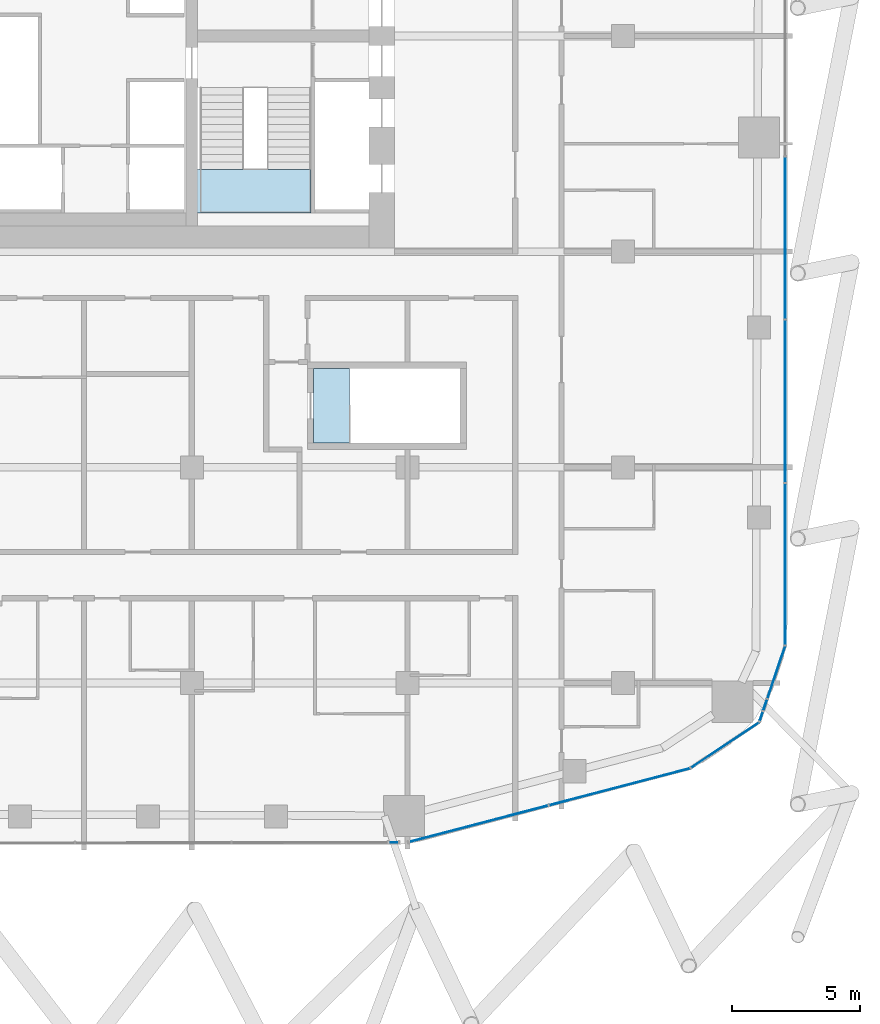
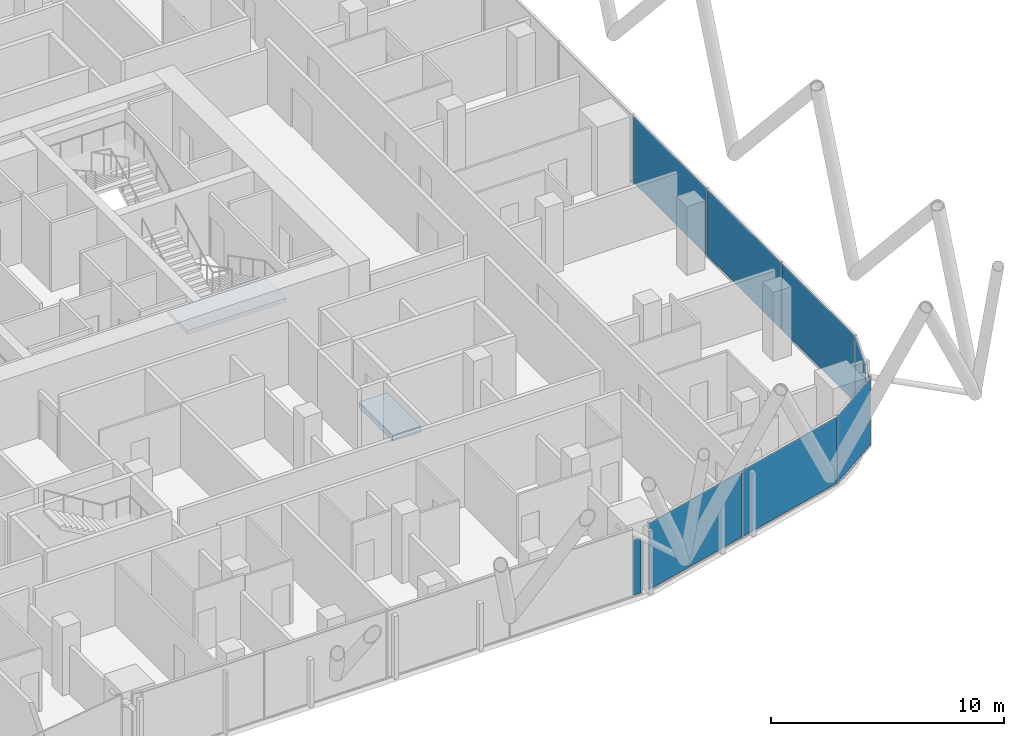
# One storey, part 22 of 34: 10 plates, 2 slabs, 8 elements without a shape of their own.
"""IFC4 building model written with IfcOpenShell, lengths in metres."""

from ifc_helpers import new_model, si_unit, direction, frame, origin, origin_2d, place, context, subcontext, project, spatial, polyline, rectangle, outline, extrude, material, layer, layer_set, type_object, element, aggregate, save


model = new_model("IFC4")

# Units and contexts
model_context = context("Model", 3, precision=1e-05, world=origin(), true_north=direction((0.0, 1.0)))
body_context = subcontext(model_context, "Body", "Model", "MODEL_VIEW")
ifc_project = project(units=[si_unit("LENGTHUNIT", "METRE"), si_unit("AREAUNIT", "SQUARE_METRE"), si_unit("VOLUMEUNIT", "CUBIC_METRE"), si_unit("PLANEANGLEUNIT", "RADIAN"), si_unit("MASSUNIT", "GRAM", prefix="KILO")], contexts=[model_context])

# Site, building, storey
site_placement = place(None, origin())
site = spatial("IfcSite", under=ifc_project, at=site_placement, CompositionType="ELEMENT")
building_placement = place(site_placement, origin())
building = spatial("IfcBuilding", under=site, at=building_placement, Name="Marenta Gate Hotel Tower", CompositionType="ELEMENT")
storey_placement = place(building_placement, frame((0.0, 0.0, 166.10009765625)))
storey = spatial("IfcBuildingStorey", under=building, at=storey_placement, Name="L39", CompositionType="ELEMENT", Elevation=166.10009765625)

# Stair, slab
ifc_material_1 = material(Name="Concrete C40", Category="concrete")
stair_type = type_object("IfcStairType", Name="Core exit stair 1700 wide", PredefinedType="HALF_TURN_STAIR", material=ifc_material_1)
stair_placement = place(storey_placement, origin())
stair = element("IfcStair", 1, at=stair_placement, inside=storey, type_object=stair_type, Name="Exit stair 3", PredefinedType="HALF_TURN_STAIR")
ifc_material_2 = material(Name="Concrete C40", Category="concrete")
ifc_layer_1 = layer(ifc_material_2, 0.199951171875)
ifc_layer_set_1 = layer_set([ifc_layer_1], Name="Concrete C40")
slab_type_1 = type_object("IfcSlabType", Name="Core stair landing 200", PredefinedType="LANDING", material=ifc_layer_set_1)
slab_1_placement = place(storey_placement, frame((0.0, 0.0, 1.599853515625)))
slab_1 = element("IfcSlab", 2, at=slab_1_placement, type_object=slab_type_1, Name="SL-200 ST3 landing 1", PredefinedType="LANDING", context=body_context, shape_type="SweptSolid", body=[
    extrude(outline(polyline([(3.97509765625, 1.5), (8.85009765625, 1.5), (8.85009765625, 3.2099609375), (3.97509765625, 3.2099609375), (3.97509765625, 1.5)])), origin(), (0.0, 0.0, 1.0), 0.199951171875),
])
aggregate(stair, [slab_1])

# Curtain wall, plate
ifc_material_3 = material(Name="Tinted insulated glass in bronze anodised frame", Category="glass")
ifc_layer_2 = layer(ifc_material_3, 0.1201171875)
ifc_layer_set_2 = layer_set([ifc_layer_2], Name="Tinted insulated glass in bronze anodised frame")
curtain_wall_type = type_object("IfcCurtainWallType", Name="Tower unitised curtain wall CW1", PredefinedType="NOTDEFINED", material=ifc_layer_set_2)
curtain_wall_1_placement = place(storey_placement, origin())
curtain_wall_1 = element("IfcCurtainWall", 3, at=curtain_wall_1_placement, inside=storey, type_object=curtain_wall_type, Name="CW1 run G13", PredefinedType="NOTDEFINED")
ifc_material_4 = material(Name="Tinted insulated glass", Category="glass")
ifc_layer_3 = layer(ifc_material_4, 0.028076171875)
ifc_layer_set_3 = layer_set([ifc_layer_3], Name="Tinted insulated glass")
plate_type = type_object("IfcPlateType", Name="Glass panel CW1 28 mm tinted insulated unit", PredefinedType="CURTAIN_PANEL", material=ifc_layer_set_3)
plate_1_placement = place(storey_placement, frame((12.060791015625, -23.013916015625, 0.06005859375), z_axis=(0.0, 0.0, 1.0), x_axis=(0.999999212858, 0.001254704164, 0.0)))
plate_1 = element("IfcPlate", 4, at=plate_1_placement, type_object=plate_type, Name="CW1 panel 1.1", PredefinedType="CURTAIN_PANEL", context=body_context, shape_type="SweptSolid", body=[
    extrude(rectangle(XDim=0.358154296875, YDim=0.028076171875, at=origin_2d()), origin(), (0.0, 0.0, 1.0), 2.880615234375),
])
aggregate(curtain_wall_1, [plate_1])

# Curtain wall, plates
curtain_wall_2_placement = place(storey_placement, origin())
curtain_wall_2 = element("IfcCurtainWall", 5, at=curtain_wall_2_placement, inside=storey, type_object=curtain_wall_type, Name="CW1 run G14", PredefinedType="NOTDEFINED")
plate_2_placement = place(storey_placement, frame((15.36474609375, -22.28857421875, 0.059814453125), z_axis=(0.0, 0.0, 1.0), x_axis=(0.967368326473, 0.253374270473, 0.0)))
plate_2 = element("IfcPlate", 6, at=plate_2_placement, type_object=plate_type, Name="CW1 panel 1.1", PredefinedType="CURTAIN_PANEL", context=body_context, shape_type="SweptSolid", body=[
    extrude(rectangle(XDim=5.6005859375, YDim=0.028076171875, at=origin_2d()), origin(), (0.0, 0.0, 1.0), 3.47998046875),
])
plate_3_placement = place(storey_placement, frame((20.86962890625, -20.8466796875, 0.059814453125), z_axis=(0.0, 0.0, 1.0), x_axis=(0.967368326473, 0.253374270473, 0.0)))
plate_3 = element("IfcPlate", 7, at=plate_3_placement, type_object=plate_type, Name="CW1 panel 2.1", PredefinedType="CURTAIN_PANEL", context=body_context, shape_type="SweptSolid", body=[
    extrude(rectangle(XDim=5.66064453125, YDim=0.028076171875, at=origin_2d()), origin(), (0.0, 0.0, 1.0), 3.47998046875),
])
aggregate(curtain_wall_2, [plate_2, plate_3])

# Curtain wall, plate
curtain_wall_3_placement = place(storey_placement, origin())
curtain_wall_3 = element("IfcCurtainWall", 8, at=curtain_wall_3_placement, inside=storey, type_object=curtain_wall_type, Name="CW1 run G15", PredefinedType="NOTDEFINED")
plate_4_placement = place(storey_placement, frame((24.981201171875, -19.215576171875, 0.059814453125), z_axis=(0.0, 0.0, 1.0), x_axis=(0.832505857051, 0.554016243423, 0.0)))
plate_4 = element("IfcPlate", 9, at=plate_4_placement, type_object=plate_type, Name="CW1 panel 1.1", PredefinedType="CURTAIN_PANEL", context=body_context, shape_type="SweptSolid", body=[
    extrude(rectangle(XDim=3.179931640625, YDim=0.028076171875, at=origin_2d()), origin(), (0.0, 0.0, 1.0), 3.47998046875),
])
aggregate(curtain_wall_3, [plate_4])

curtain_wall_4_placement = place(storey_placement, origin())
curtain_wall_4 = element("IfcCurtainWall", 10, at=curtain_wall_4_placement, inside=storey, type_object=curtain_wall_type, Name="CW1 run G16", PredefinedType="NOTDEFINED")
plate_5_placement = place(storey_placement, frame((26.383544921875, -18.103515625, 0.059814453125), z_axis=(0.0, 0.0, 1.0), x_axis=(0.322036701561, 0.946727185016, 0.0)))
plate_5 = element("IfcPlate", 11, at=plate_5_placement, type_object=plate_type, Name="CW1 panel 1.1", PredefinedType="CURTAIN_PANEL", context=body_context, shape_type="SweptSolid", body=[
    extrude(rectangle(XDim=0.3681640625, YDim=0.028076171875, at=origin_2d()), origin(), (0.0, 0.0, 1.0), 3.47998046875),
])
aggregate(curtain_wall_4, [plate_5])

curtain_wall_5_placement = place(storey_placement, origin())
curtain_wall_5 = element("IfcCurtainWall", 12, at=curtain_wall_5_placement, inside=storey, type_object=curtain_wall_type, Name="CW1 run G17", PredefinedType="NOTDEFINED")
plate_6_placement = place(storey_placement, frame((26.533935546875, -17.6611328125, 0.06005859375), z_axis=(0.0, 0.0, 1.0), x_axis=(0.321970015045, 0.946749866338, 0.0)))
plate_6 = element("IfcPlate", 13, at=plate_6_placement, type_object=plate_type, Name="CW1 panel 1.1", PredefinedType="CURTAIN_PANEL", context=body_context, shape_type="SweptSolid", body=[
    extrude(rectangle(XDim=0.4462890625, YDim=0.028076171875, at=origin_2d()), origin(), (0.0, 0.0, 1.0), 2.880615234375),
])
aggregate(curtain_wall_5, [plate_6])

curtain_wall_6_placement = place(storey_placement, origin())
curtain_wall_6 = element("IfcCurtainWall", 14, at=curtain_wall_6_placement, inside=storey, type_object=curtain_wall_type, Name="CW1 run G18", PredefinedType="NOTDEFINED")
plate_7_placement = place(storey_placement, frame((26.969482421875, -16.380615234375, 0.059814453125), z_axis=(0.0, 0.0, 1.0), x_axis=(0.322047026767, 0.946723672753, 0.0)))
plate_7 = element("IfcPlate", 15, at=plate_7_placement, type_object=plate_type, Name="CW1 panel 1.1", PredefinedType="CURTAIN_PANEL", context=body_context, shape_type="SweptSolid", body=[
    extrude(rectangle(XDim=2.13916015625, YDim=0.028076171875, at=origin_2d()), origin(), (0.0, 0.0, 1.0), 3.47998046875),
])
aggregate(curtain_wall_6, [plate_7])

# Curtain wall, plates
curtain_wall_7_placement = place(storey_placement, origin())
curtain_wall_7 = element("IfcCurtainWall", 16, at=curtain_wall_7_placement, inside=storey, type_object=curtain_wall_type, Name="CW1 run G19", PredefinedType="NOTDEFINED")
plate_8_placement = place(storey_placement, frame((27.31396484375, -12.173095703125, 0.059814453125), z_axis=(0.0, 0.0, 1.0), x_axis=(0.0, 1.0, 0.0)))
plate_8 = element("IfcPlate", 17, at=plate_8_placement, type_object=plate_type, Name="CW1 panel 1.1", PredefinedType="CURTAIN_PANEL", context=body_context, shape_type="SweptSolid", body=[
    extrude(rectangle(XDim=6.27001953125, YDim=0.028076171875, at=origin_2d()), origin(), (0.0, 0.0, 1.0), 3.47998046875),
])
plate_9_placement = place(storey_placement, frame((27.31396484375, -5.828125, 0.059814453125), z_axis=(0.0, 0.0, 1.0), x_axis=(0.0, 1.0, 0.0)))
plate_9 = element("IfcPlate", 18, at=plate_9_placement, type_object=plate_type, Name="CW1 panel 2.1", PredefinedType="CURTAIN_PANEL", context=body_context, shape_type="SweptSolid", body=[
    extrude(rectangle(XDim=6.300048828125, YDim=0.028076171875, at=origin_2d()), origin(), (0.0, 0.0, 1.0), 3.47998046875),
])
plate_10_placement = place(storey_placement, frame((27.31396484375, 0.531982421875, 0.059814453125), z_axis=(0.0, 0.0, 1.0), x_axis=(0.0, 1.0, 0.0)))
plate_10 = element("IfcPlate", 19, at=plate_10_placement, type_object=plate_type, Name="CW1 panel 3.1", PredefinedType="CURTAIN_PANEL", context=body_context, shape_type="SweptSolid", body=[
    extrude(rectangle(XDim=6.300048828125, YDim=0.028076171875, at=origin_2d()), origin(), (0.0, 0.0, 1.0), 3.47998046875),
])
aggregate(curtain_wall_7, [plate_8, plate_9, plate_10])

# Slab
ifc_material_5 = material(Name="Concrete C40", Category="concrete")
ifc_layer_4 = layer(ifc_material_5, 0.300048828125)
ifc_layer_set_4 = layer_set([ifc_layer_4], Name="Concrete C40")
slab_type_2 = type_object("IfcSlabType", Name="Stair floor landing slab 300", PredefinedType="FLOOR", material=ifc_layer_set_4)
slab_2_placement = place(storey_placement, frame((0.0, 0.0, -0.300048828125)))
element("IfcSlab", 20, at=slab_2_placement, inside=storey, type_object=slab_type_2, Name="L39-RS-Z2-2-CL", PredefinedType="FLOOR", context=body_context, shape_type="SweptSolid", body=[
    extrude(outline(polyline([(10.35009765625, -7.449951171875), (10.35009765625, -4.550048828125), (8.949951171875, -4.550048828125), (8.949951171875, -7.449951171875), (10.35009765625, -7.449951171875)])), origin(), (0.0, 0.0, 1.0), 0.300048828125),
])

save(model, "model.ifc")
